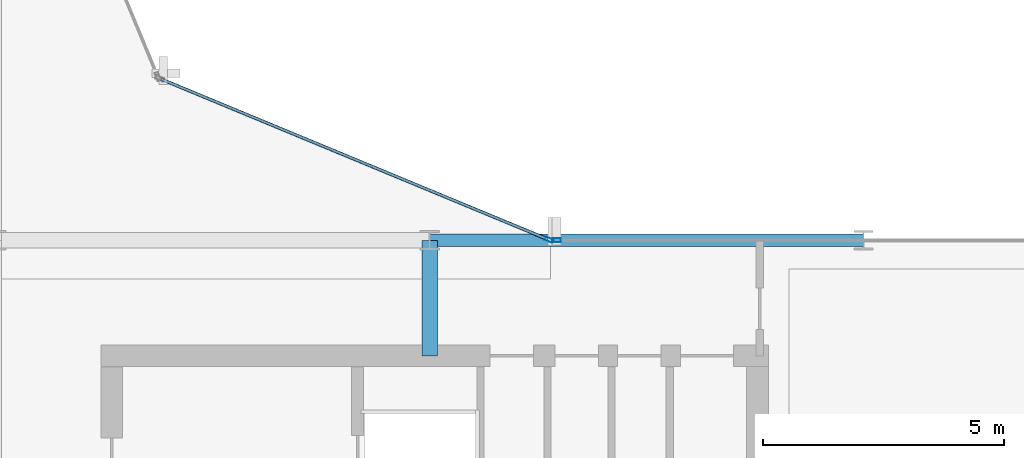
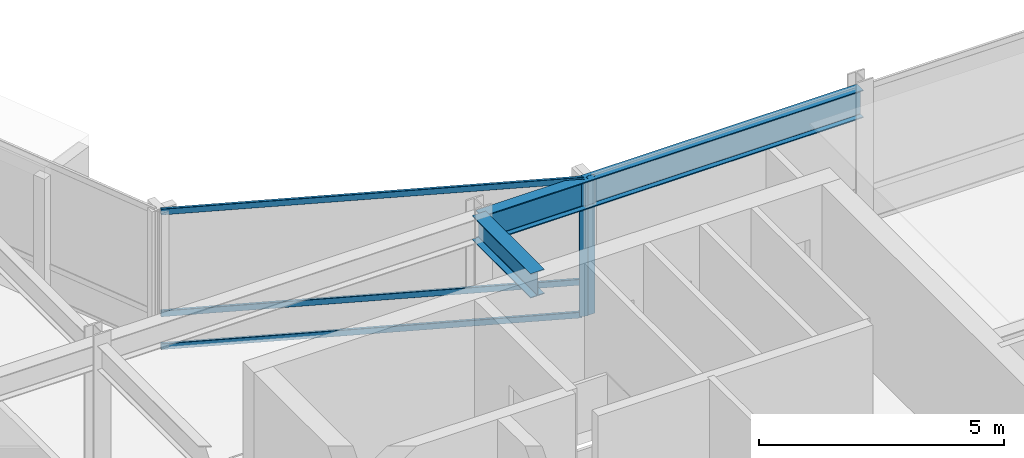
# One storey, part 12 of 27: 5 members, 2 beams, 2 elements without a shape of their own.
"""IFC4 building model written with IfcOpenShell, lengths in metres."""

from ifc_helpers import new_model, si_unit, direction, frame, origin, origin_2d, place, context, subcontext, project, spatial, hollow_rectangle, i_section, extrude, material, layer, layer_set, material_profile, profile_set, type_object, element, aggregate, save


model = new_model("IFC4")

# Units and contexts
model_context = context("Model", 3, precision=1e-05, world=origin(), true_north=direction((0.0, 1.0)))
body_context = subcontext(model_context, "Body", "Model", "MODEL_VIEW")
ifc_project = project(units=[si_unit("LENGTHUNIT", "METRE"), si_unit("AREAUNIT", "SQUARE_METRE"), si_unit("VOLUMEUNIT", "CUBIC_METRE"), si_unit("PLANEANGLEUNIT", "RADIAN"), si_unit("MASSUNIT", "GRAM", prefix="KILO")], contexts=[model_context])

# Site, building, storey
site_placement = place(None, origin())
site = spatial("IfcSite", under=ifc_project, at=site_placement, CompositionType="ELEMENT")
building_placement = place(site_placement, origin())
building = spatial("IfcBuilding", under=site, at=building_placement, Name="Solvaryn Broadcast Tower", CompositionType="ELEMENT")
storey_placement = place(building_placement, frame((0.0, 0.0, 224.699951171875)))
storey = spatial("IfcBuildingStorey", under=building, at=storey_placement, Name="L56", CompositionType="ELEMENT", Elevation=224.699951171875)

# Beams
ifc_material_1 = material(Name="Steel ASTM A992 Grade 50", Category="steel")
ifc_material_profile_1 = material_profile(ifc_material_1, i_section(OverallWidth=0.323974609375, OverallDepth=0.611083984375, WebThickness=0.0126953125, FlangeThickness=0.01904296875, FilletRadius=0.014892578125, at=origin_2d()))
ifc_profile_set_1 = profile_set([ifc_material_profile_1], Name="Steel ASTM A992 Grade 50")
beam_type_1 = type_object("IfcBeamType", Name="BM-B1-W24X104", PredefinedType="BEAM", material=ifc_profile_set_1)
beam_1_placement = place(storey_placement, frame((36.0, 24.60009765625, 3.114501953125), z_axis=(0.0, 1.0, 0.0), x_axis=(-1.0, 0.0, 0.0)))
element("IfcBeam", 1, at=beam_1_placement, inside=storey, type_object=beam_type_1, Name="L56 Core Tie Beam CTE2", PredefinedType="BEAM", context=body_context, shape_type="SweptSolid", body=[
    extrude(i_section(OverallWidth=0.323974609375, OverallDepth=0.611083984375, WebThickness=0.0126953125, FlangeThickness=0.01904296875, FilletRadius=0.014892578125, at=origin_2d()), origin(), (0.0, 0.0, 1.0), 2.39990234375),
])
ifc_material_2 = material(Name="Steel ASTM A992 Grade 50", Category="steel")
ifc_material_profile_2 = material_profile(ifc_material_2, i_section(OverallWidth=0.256103515625, OverallDepth=0.693115234375, WebThickness=0.014404296875, FlangeThickness=0.023681640625, FilletRadius=0.01611328125, at=origin_2d()))
ifc_profile_set_2 = profile_set([ifc_material_profile_2], Name="Steel ASTM A992 Grade 50")
beam_type_2 = type_object("IfcBeamType", Name="BM-SP3-W27X114", PredefinedType="USERDEFINED", material=ifc_profile_set_2)
beam_2_placement = place(storey_placement, frame((36.0, 27.0, 3.073486328125), z_axis=(1.0, 0.0, 0.0), x_axis=(0.0, 1.0, 0.0)))
element("IfcBeam", 2, at=beam_2_placement, inside=storey, type_object=beam_type_2, Name="L56 Spandrel Beam X (36-45 @ Y=27)", ObjectType="SPANDREL", PredefinedType="USERDEFINED", context=body_context, shape_type="SweptSolid", body=[
    extrude(i_section(OverallWidth=0.256103515625, OverallDepth=0.693115234375, WebThickness=0.014404296875, FlangeThickness=0.023681640625, FilletRadius=0.01611328125, at=origin_2d()), origin(), (0.0, 0.0, 1.0), 9.0),
])

# Curtain wall, member
ifc_material_3 = material(Name="Aluminium and Terracotta Unitised Curtain Wall", Category="masonry")
ifc_layer = layer(ifc_material_3, 0.199951171875)
ifc_layer_set = layer_set([ifc_layer], Name="CW-SYS2-LOWMID")
curtain_wall_type = type_object("IfcCurtainWallType", Name="CW-SYS2-LOWMID", PredefinedType="NOTDEFINED", material=ifc_layer_set)
curtain_wall_1_placement = place(storey_placement, origin())
curtain_wall_1 = element("IfcCurtainWall", 3, at=curtain_wall_1_placement, inside=storey, type_object=curtain_wall_type, Name="L56 Curtain Wall CN1", PredefinedType="NOTDEFINED")
ifc_material_4 = material(Name="Anodised Aluminium 6063-T6", Category="aluminium")
ifc_material_profile_3 = material_profile(ifc_material_4, hollow_rectangle(XDim=0.074951171875, YDim=0.179931640625, WallThickness=0.00390625, InnerFilletRadius=0.00390625, OuterFilletRadius=0.008056640625, at=origin_2d()))
ifc_profile_set_3 = profile_set([ifc_material_profile_3], Name="Anodised Aluminium 6063-T6")
member_type_1 = type_object("IfcMemberType", Name="CW-MUL-180", PredefinedType="MULLION", material=ifc_profile_set_3)
member_1_placement = place(storey_placement, frame((38.47216796875, 27.011474609375, 0.0), z_axis=(0.0, 0.0, 1.0), x_axis=(-0.382646127145, -0.923894983957, 0.0)))
member_1 = element("IfcMember", 4, at=member_1_placement, type_object=member_type_1, Name="CWS2 mullion 1", PredefinedType="MULLION", context=body_context, shape_type="SweptSolid", body=[
    extrude(hollow_rectangle(XDim=0.074951171875, YDim=0.179931640625, WallThickness=0.00390625, InnerFilletRadius=0.00390625, OuterFilletRadius=0.008056640625, at=origin_2d()), origin(), (0.0, 0.0, 1.0), 3.420166015625),
])

curtain_wall_2_placement = place(storey_placement, origin())
curtain_wall_2 = element("IfcCurtainWall", 5, at=curtain_wall_2_placement, inside=storey, type_object=curtain_wall_type, Name="L56 Curtain Wall IH", PredefinedType="NOTDEFINED")
member_2_placement = place(storey_placement, frame((38.6298828125, 27.0, 0.0), z_axis=(0.0, 0.0, 1.0), x_axis=(0.0, 1.0, 0.0)))
member_2 = element("IfcMember", 6, at=member_2_placement, type_object=member_type_1, Name="CWS2 mullion 1", PredefinedType="MULLION", context=body_context, shape_type="SweptSolid", body=[
    extrude(hollow_rectangle(XDim=0.074951171875, YDim=0.179931640625, WallThickness=0.00390625, InnerFilletRadius=0.00390625, OuterFilletRadius=0.008056640625, at=origin_2d()), origin(), (0.0, 0.0, 1.0), 3.420166015625),
])
aggregate(curtain_wall_2, [member_2])

# Member
ifc_material_5 = material(Name="Anodised Aluminium 6063-T6", Category="aluminium")
ifc_material_profile_4 = material_profile(ifc_material_5, hollow_rectangle(XDim=0.06494140625, YDim=0.14990234375, WallThickness=0.00390625, InnerFilletRadius=0.00390625, OuterFilletRadius=0.008056640625, at=origin_2d()))
ifc_profile_set_4 = profile_set([ifc_material_profile_4], Name="Anodised Aluminium 6063-T6")
member_type_2 = type_object("IfcMemberType", Name="CW-TRN-150", PredefinedType="USERDEFINED", material=ifc_profile_set_4)
member_3_placement = place(storey_placement, frame((38.444580078125, 27.02294921875, 0.030029296875), z_axis=(-0.923899282177, 0.382635748975, 0.0), x_axis=(-0.382635748975, -0.923899282177, 0.0)))
member_3 = element("IfcMember", 7, at=member_3_placement, type_object=member_type_2, Name="CWS2 transom 1.1", ObjectType="TRANSOM", PredefinedType="USERDEFINED", context=body_context, shape_type="SweptSolid", body=[
    extrude(hollow_rectangle(XDim=0.06494140625, YDim=0.14990234375, WallThickness=0.00390625, InnerFilletRadius=0.00390625, OuterFilletRadius=0.008056640625, at=origin_2d()), origin(), (0.0, 0.0, 1.0), 8.681884765625),
])

member_4_placement = place(storey_placement, frame((38.444580078125, 27.02294921875, 0.85009765625), z_axis=(-0.923899282177, 0.382635748975, 0.0), x_axis=(-0.382635748975, -0.923899282177, 0.0)))
member_4 = element("IfcMember", 8, at=member_4_placement, type_object=member_type_2, Name="CWS2 transom 1.2", ObjectType="TRANSOM", PredefinedType="USERDEFINED", context=body_context, shape_type="SweptSolid", body=[
    extrude(hollow_rectangle(XDim=0.06494140625, YDim=0.14990234375, WallThickness=0.00390625, InnerFilletRadius=0.00390625, OuterFilletRadius=0.008056640625, at=origin_2d()), origin(), (0.0, 0.0, 1.0), 8.681884765625),
])

member_5_placement = place(storey_placement, frame((38.444580078125, 27.02294921875, 3.39013671875), z_axis=(-0.923899282177, 0.382635748975, 0.0), x_axis=(-0.382635748975, -0.923899282177, 0.0)))
member_5 = element("IfcMember", 9, at=member_5_placement, type_object=member_type_2, Name="CWS2 transom 1.3", ObjectType="TRANSOM", PredefinedType="USERDEFINED", context=body_context, shape_type="SweptSolid", body=[
    extrude(hollow_rectangle(XDim=0.06494140625, YDim=0.14990234375, WallThickness=0.00390625, InnerFilletRadius=0.00390625, OuterFilletRadius=0.008056640625, at=origin_2d()), origin(), (0.0, 0.0, 1.0), 8.681884765625),
])

aggregate(curtain_wall_1, [member_1, member_3, member_4, member_5])

save(model, "model.ifc")
